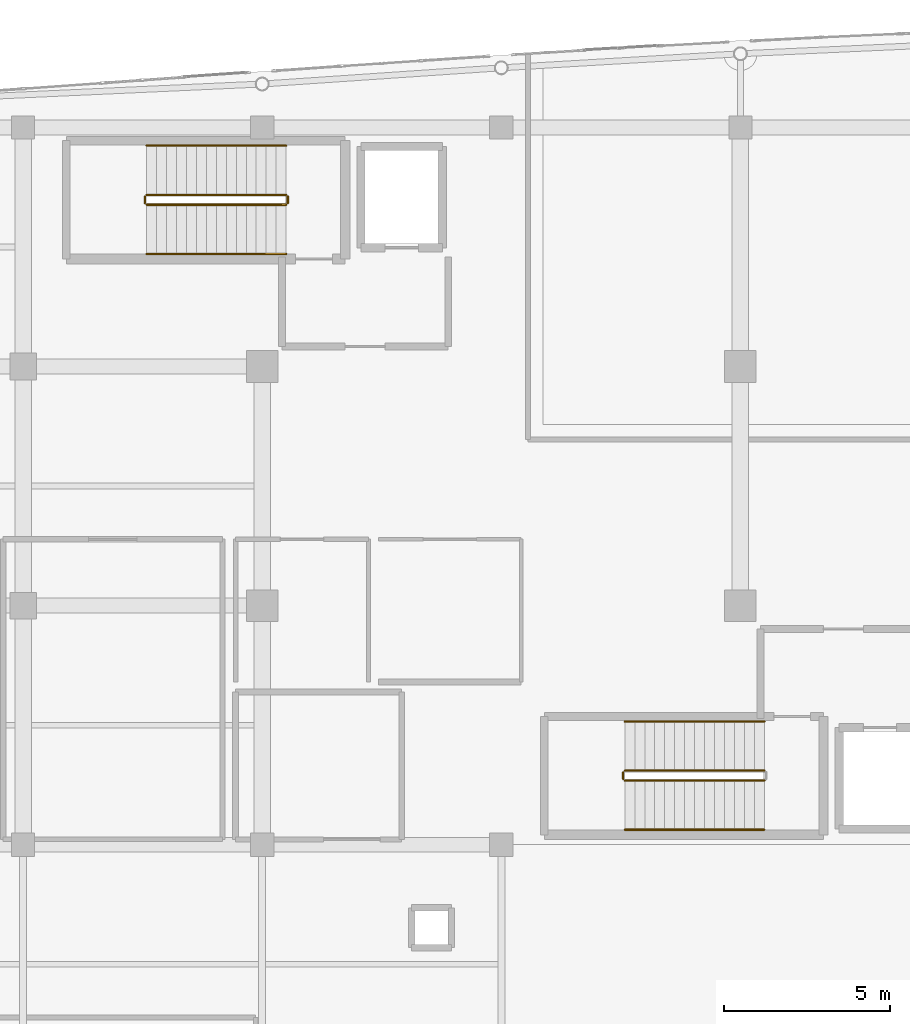
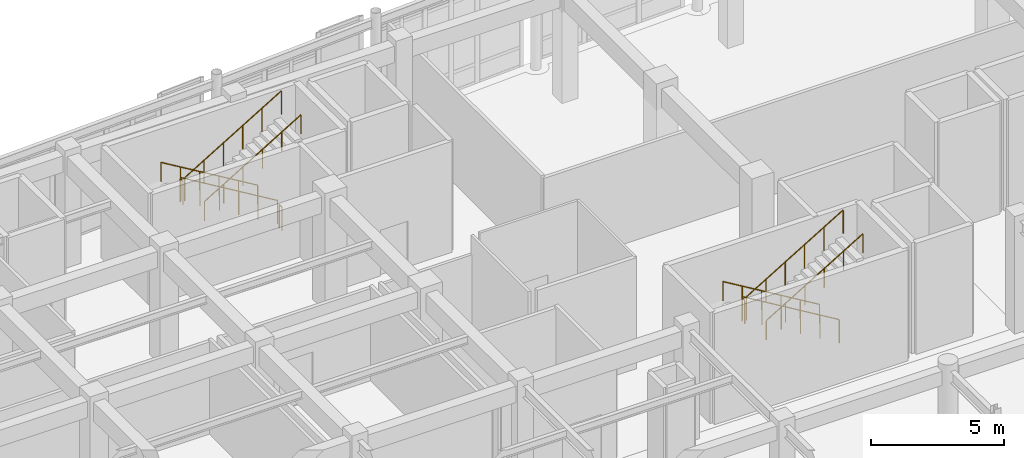
# One storey, part 94 of 102: 11 railings.
"""IFC4 building model written with IfcOpenShell, lengths in metres."""

from ifc_helpers import new_model, si_unit, direction, frame, origin, origin_2d, place, context, subcontext, project, spatial, circle, extrude, material, layer, layer_set, type_object, element, save


model = new_model("IFC4")

# Units and contexts
model_context = context("Model", 3, precision=1e-05, world=origin(), true_north=direction((0.0, 1.0)))
body_context = subcontext(model_context, "Body", "Model", "MODEL_VIEW")
ifc_project = project(units=[si_unit("LENGTHUNIT", "METRE"), si_unit("AREAUNIT", "SQUARE_METRE"), si_unit("VOLUMEUNIT", "CUBIC_METRE"), si_unit("PLANEANGLEUNIT", "RADIAN"), si_unit("MASSUNIT", "GRAM", prefix="KILO")], contexts=[model_context])

# Site, building, storey
site_placement = place(None, origin())
site = spatial("IfcSite", under=ifc_project, at=site_placement, CompositionType="ELEMENT")
building_placement = place(site_placement, origin())
building = spatial("IfcBuilding", under=site, at=building_placement, Name="Carrowvane Square Congress Hotel", CompositionType="ELEMENT")
storey_placement = place(building_placement, origin())
storey = spatial("IfcBuildingStorey", under=building, at=storey_placement, Name="L00", CompositionType="ELEMENT", Elevation=0.0)

# Railings
ifc_material_1 = material(Name="Stainless steel 316", Category="steel")
ifc_layer_1 = layer(ifc_material_1, 0.048095703125)
ifc_layer_set_1 = layer_set([ifc_layer_1], Name="Stainless steel 316")
railing_type_1 = type_object("IfcRailingType", Name="RLG-HR-900", PredefinedType="HANDRAIL", material=ifc_layer_set_1)
railing_1_placement = place(storey_placement, frame((62.719970703125, 112.85009765625, 0.179931640625)))
element("IfcRailing", 1, at=railing_1_placement, inside=storey, type_object=railing_type_1, Name="L00 ST1 stair handrail 1", PredefinedType="HANDRAIL", context=body_context, shape_type="SweptSolid", body=[
    extrude(circle(Radius=0.02392578125, at=origin_2d()), frame((0.0, 0.0, 0.8759765625), z_axis=(-0.857488527567, 0.0, 0.514503085598), x_axis=(0.0, -1.0, 0.0)), (0.0, 0.0, 1.0), 4.89794921875),
    extrude(circle(Radius=0.02099609375, at=origin_2d()), origin(), (0.0, 0.0, 1.0), 0.851806640625),
    extrude(circle(Radius=0.02099609375, at=origin_2d()), frame((-0.840087890625, 0.0, 0.50390625)), (0.0, 0.0, 1.0), 0.851806640625),
    extrude(circle(Radius=0.02099609375, at=origin_2d()), frame((-1.679931640625, 0.0, 1.008056640625)), (0.0, 0.0, 1.0), 0.851806640625),
    extrude(circle(Radius=0.02099609375, at=origin_2d()), frame((-2.52001953125, 0.0, 1.511962890625)), (0.0, 0.0, 1.0), 0.851806640625),
    extrude(circle(Radius=0.02099609375, at=origin_2d()), frame((-3.35986328125, 0.0, 2.01611328125)), (0.0, 0.0, 1.0), 0.851806640625),
    extrude(circle(Radius=0.02099609375, at=origin_2d()), frame((-4.199951171875, 0.0, 2.52001953125)), (0.0, 0.0, 1.0), 0.851806640625),
])
railing_2_placement = place(storey_placement, frame((58.52001953125, 109.590087890625, 2.8798828125)))
element("IfcRailing", 2, at=railing_2_placement, inside=storey, type_object=railing_type_1, Name="L00 ST1 stair handrail 2", PredefinedType="HANDRAIL", context=body_context, shape_type="SweptSolid", body=[
    extrude(circle(Radius=0.02392578125, at=origin_2d()), frame((0.0, 0.0, 0.8759765625), z_axis=(0.857488527567, 0.0, 0.514503085598), x_axis=(0.0, 1.0, 0.0)), (0.0, 0.0, 1.0), 4.89794921875),
    extrude(circle(Radius=0.02099609375, at=origin_2d()), origin(), (0.0, 0.0, 1.0), 0.851806640625),
    extrude(circle(Radius=0.02099609375, at=origin_2d()), frame((0.840087890625, 0.0, 0.50390625)), (0.0, 0.0, 1.0), 0.851806640625),
    extrude(circle(Radius=0.02099609375, at=origin_2d()), frame((1.679931640625, 0.0, 1.008056640625)), (0.0, 0.0, 1.0), 0.851806640625),
    extrude(circle(Radius=0.02099609375, at=origin_2d()), frame((2.52001953125, 0.0, 1.511962890625)), (0.0, 0.0, 1.0), 0.851806640625),
    extrude(circle(Radius=0.02099609375, at=origin_2d()), frame((3.35986328125, 0.0, 2.01611328125)), (0.0, 0.0, 1.0), 0.851806640625),
    extrude(circle(Radius=0.02099609375, at=origin_2d()), frame((4.199951171875, 0.0, 2.52001953125)), (0.0, 0.0, 1.0), 0.851806640625),
])
railing_3_placement = place(storey_placement, frame((77.1201171875, 95.510009765625, 0.179931640625)))
element("IfcRailing", 3, at=railing_3_placement, inside=storey, type_object=railing_type_1, Name="L00 ST2 stair handrail 1", PredefinedType="HANDRAIL", context=body_context, shape_type="SweptSolid", body=[
    extrude(circle(Radius=0.02392578125, at=origin_2d()), frame((0.0, 0.0, 0.8759765625), z_axis=(-0.857501721439, 0.0, 0.514481095599), x_axis=(0.0, -1.0, 0.0)), (0.0, 0.0, 1.0), 4.898193359375),
    extrude(circle(Radius=0.02099609375, at=origin_2d()), origin(), (0.0, 0.0, 1.0), 0.851806640625),
    extrude(circle(Radius=0.02099609375, at=origin_2d()), frame((-0.840087890625, 0.0, 0.50390625)), (0.0, 0.0, 1.0), 0.851806640625),
    extrude(circle(Radius=0.02099609375, at=origin_2d()), frame((-1.68017578125, 0.0, 1.008056640625)), (0.0, 0.0, 1.0), 0.851806640625),
    extrude(circle(Radius=0.02099609375, at=origin_2d()), frame((-2.52001953125, 0.0, 1.511962890625)), (0.0, 0.0, 1.0), 0.851806640625),
    extrude(circle(Radius=0.02099609375, at=origin_2d()), frame((-3.360107421875, 0.0, 2.01611328125)), (0.0, 0.0, 1.0), 0.851806640625),
    extrude(circle(Radius=0.02099609375, at=origin_2d()), frame((-4.2001953125, 0.0, 2.52001953125)), (0.0, 0.0, 1.0), 0.851806640625),
])
railing_4_placement = place(storey_placement, frame((72.919921875, 92.25, 2.8798828125)))
element("IfcRailing", 4, at=railing_4_placement, inside=storey, type_object=railing_type_1, Name="L00 ST2 stair handrail 2", PredefinedType="HANDRAIL", context=body_context, shape_type="SweptSolid", body=[
    extrude(circle(Radius=0.02392578125, at=origin_2d()), frame((0.0, 0.0, 0.8759765625), z_axis=(0.857501721439, 0.0, 0.514481095599), x_axis=(0.0, 1.0, 0.0)), (0.0, 0.0, 1.0), 4.898193359375),
    extrude(circle(Radius=0.02099609375, at=origin_2d()), origin(), (0.0, 0.0, 1.0), 0.851806640625),
    extrude(circle(Radius=0.02099609375, at=origin_2d()), frame((0.840087890625, 0.0, 0.50390625)), (0.0, 0.0, 1.0), 0.851806640625),
    extrude(circle(Radius=0.02099609375, at=origin_2d()), frame((1.68017578125, 0.0, 1.008056640625)), (0.0, 0.0, 1.0), 0.851806640625),
    extrude(circle(Radius=0.02099609375, at=origin_2d()), frame((2.52001953125, 0.0, 1.511962890625)), (0.0, 0.0, 1.0), 0.851806640625),
    extrude(circle(Radius=0.02099609375, at=origin_2d()), frame((3.360107421875, 0.0, 2.01611328125)), (0.0, 0.0, 1.0), 0.851806640625),
    extrude(circle(Radius=0.02099609375, at=origin_2d()), frame((4.2001953125, 0.0, 2.52001953125)), (0.0, 0.0, 1.0), 0.851806640625),
])
ifc_material_2 = material(Name="Galvanised steel", Category="steel")
ifc_layer_2 = layer(ifc_material_2, 0.048095703125)
ifc_layer_set_2 = layer_set([ifc_layer_2], Name="Galvanised steel")
railing_type_2 = type_object("IfcRailingType", Name="RLG-STG-1100", PredefinedType="GUARDRAIL", material=ifc_layer_set_2)
railing_5_placement = place(storey_placement, frame((62.719970703125, 111.3701171875, 0.179931640625)))
element("IfcRailing", 5, at=railing_5_placement, inside=storey, type_object=railing_type_2, Name="L00 ST1 stair guard 1", PredefinedType="GUARDRAIL", context=body_context, shape_type="SweptSolid", body=[
    extrude(circle(Radius=0.02392578125, at=origin_2d()), frame((0.0, 0.0, 1.076171875), z_axis=(-0.857488527567, 0.0, 0.514503085598), x_axis=(0.0, -1.0, 0.0)), (0.0, 0.0, 1.0), 4.89794921875),
    extrude(circle(Radius=0.02099609375, at=origin_2d()), origin(), (0.0, 0.0, 1.0), 1.052001953125),
    extrude(circle(Radius=0.02099609375, at=origin_2d()), frame((-0.840087890625, 0.0, 0.50390625)), (0.0, 0.0, 1.0), 1.052001953125),
    extrude(circle(Radius=0.02099609375, at=origin_2d()), frame((-1.679931640625, 0.0, 1.008056640625)), (0.0, 0.0, 1.0), 1.052001953125),
    extrude(circle(Radius=0.02099609375, at=origin_2d()), frame((-2.52001953125, 0.0, 1.511962890625)), (0.0, 0.0, 1.0), 1.052001953125),
    extrude(circle(Radius=0.02099609375, at=origin_2d()), frame((-3.35986328125, 0.0, 2.01611328125)), (0.0, 0.0, 1.0), 1.052001953125),
    extrude(circle(Radius=0.02099609375, at=origin_2d()), frame((-4.199951171875, 0.0, 2.52001953125)), (0.0, 0.0, 1.0), 1.052001953125),
])
railing_6_placement = place(storey_placement, frame((58.469970703125, 111.320068359375, 2.699951171875)))
element("IfcRailing", 6, at=railing_6_placement, inside=storey, type_object=railing_type_2, Name="L00 ST1 stair guard 2", PredefinedType="GUARDRAIL", context=body_context, shape_type="SweptSolid", body=[
    extrude(circle(Radius=0.02392578125, at=origin_2d()), frame((0.0, 0.0, 1.076171875), z_axis=(0.0, -1.0, 0.0), x_axis=(1.0, 0.0, 0.0)), (0.0, 0.0, 1.0), 0.199951171875),
    extrude(circle(Radius=0.02099609375, at=origin_2d()), origin(), (0.0, 0.0, 1.0), 1.052001953125),
    extrude(circle(Radius=0.02099609375, at=origin_2d()), frame((0.0, -0.199951171875, 0.0)), (0.0, 0.0, 1.0), 1.052001953125),
])
railing_7_placement = place(storey_placement, frame((58.52001953125, 111.070068359375, 2.8798828125)))
element("IfcRailing", 7, at=railing_7_placement, inside=storey, type_object=railing_type_2, Name="L00 ST1 stair guard 3", PredefinedType="GUARDRAIL", context=body_context, shape_type="SweptSolid", body=[
    extrude(circle(Radius=0.02392578125, at=origin_2d()), frame((0.0, 0.0, 1.076171875), z_axis=(0.857488527567, 0.0, 0.514503085598), x_axis=(0.0, 1.0, 0.0)), (0.0, 0.0, 1.0), 4.89794921875),
    extrude(circle(Radius=0.02099609375, at=origin_2d()), origin(), (0.0, 0.0, 1.0), 1.052001953125),
    extrude(circle(Radius=0.02099609375, at=origin_2d()), frame((0.840087890625, 0.0, 0.50390625)), (0.0, 0.0, 1.0), 1.052001953125),
    extrude(circle(Radius=0.02099609375, at=origin_2d()), frame((1.679931640625, 0.0, 1.008056640625)), (0.0, 0.0, 1.0), 1.052001953125),
    extrude(circle(Radius=0.02099609375, at=origin_2d()), frame((2.52001953125, 0.0, 1.511962890625)), (0.0, 0.0, 1.0), 1.052001953125),
    extrude(circle(Radius=0.02099609375, at=origin_2d()), frame((3.35986328125, 0.0, 2.01611328125)), (0.0, 0.0, 1.0), 1.052001953125),
    extrude(circle(Radius=0.02099609375, at=origin_2d()), frame((4.199951171875, 0.0, 2.52001953125)), (0.0, 0.0, 1.0), 1.052001953125),
])
railing_8_placement = place(storey_placement, frame((62.77001953125, 111.320068359375, 0.0)))
element("IfcRailing", 8, at=railing_8_placement, inside=storey, type_object=railing_type_2, Name="L00 ST1 stair guard 4", PredefinedType="GUARDRAIL", context=body_context, shape_type="SweptSolid", body=[
    extrude(circle(Radius=0.02392578125, at=origin_2d()), frame((0.0, 0.0, 1.076171875), z_axis=(0.0, -1.0, 0.0), x_axis=(1.0, 0.0, 0.0)), (0.0, 0.0, 1.0), 0.199951171875),
    extrude(circle(Radius=0.02099609375, at=origin_2d()), origin(), (0.0, 0.0, 1.0), 1.052001953125),
    extrude(circle(Radius=0.02099609375, at=origin_2d()), frame((0.0, -0.199951171875, 0.0)), (0.0, 0.0, 1.0), 1.052001953125),
])
railing_9_placement = place(storey_placement, frame((77.1201171875, 94.030029296875, 0.179931640625)))
element("IfcRailing", 9, at=railing_9_placement, inside=storey, type_object=railing_type_2, Name="L00 ST2 stair guard 1", PredefinedType="GUARDRAIL", context=body_context, shape_type="SweptSolid", body=[
    extrude(circle(Radius=0.02392578125, at=origin_2d()), frame((0.0, 0.0, 1.076171875), z_axis=(-0.857501721439, 0.0, 0.514481095599), x_axis=(0.0, -1.0, 0.0)), (0.0, 0.0, 1.0), 4.898193359375),
    extrude(circle(Radius=0.02099609375, at=origin_2d()), origin(), (0.0, 0.0, 1.0), 1.052001953125),
    extrude(circle(Radius=0.02099609375, at=origin_2d()), frame((-0.840087890625, 0.0, 0.50390625)), (0.0, 0.0, 1.0), 1.052001953125),
    extrude(circle(Radius=0.02099609375, at=origin_2d()), frame((-1.68017578125, 0.0, 1.008056640625)), (0.0, 0.0, 1.0), 1.052001953125),
    extrude(circle(Radius=0.02099609375, at=origin_2d()), frame((-2.52001953125, 0.0, 1.511962890625)), (0.0, 0.0, 1.0), 1.052001953125),
    extrude(circle(Radius=0.02099609375, at=origin_2d()), frame((-3.360107421875, 0.0, 2.01611328125)), (0.0, 0.0, 1.0), 1.052001953125),
    extrude(circle(Radius=0.02099609375, at=origin_2d()), frame((-4.2001953125, 0.0, 2.52001953125)), (0.0, 0.0, 1.0), 1.052001953125),
])
railing_10_placement = place(storey_placement, frame((72.8701171875, 93.97998046875, 2.699951171875)))
element("IfcRailing", 10, at=railing_10_placement, inside=storey, type_object=railing_type_2, Name="L00 ST2 stair guard 2", PredefinedType="GUARDRAIL", context=body_context, shape_type="SweptSolid", body=[
    extrude(circle(Radius=0.02392578125, at=origin_2d()), frame((0.0, 0.0, 1.076171875), z_axis=(0.0, -1.0, 0.0), x_axis=(1.0, 0.0, 0.0)), (0.0, 0.0, 1.0), 0.199951171875),
    extrude(circle(Radius=0.02099609375, at=origin_2d()), origin(), (0.0, 0.0, 1.0), 1.052001953125),
    extrude(circle(Radius=0.02099609375, at=origin_2d()), frame((0.0, -0.199951171875, 0.0)), (0.0, 0.0, 1.0), 1.052001953125),
])
railing_11_placement = place(storey_placement, frame((72.919921875, 93.72998046875, 2.8798828125)))
element("IfcRailing", 11, at=railing_11_placement, inside=storey, type_object=railing_type_2, Name="L00 ST2 stair guard 3", PredefinedType="GUARDRAIL", context=body_context, shape_type="SweptSolid", body=[
    extrude(circle(Radius=0.02392578125, at=origin_2d()), frame((0.0, 0.0, 1.076171875), z_axis=(0.857501721439, 0.0, 0.514481095599), x_axis=(0.0, 1.0, 0.0)), (0.0, 0.0, 1.0), 4.898193359375),
    extrude(circle(Radius=0.02099609375, at=origin_2d()), origin(), (0.0, 0.0, 1.0), 1.052001953125),
    extrude(circle(Radius=0.02099609375, at=origin_2d()), frame((0.840087890625, 0.0, 0.50390625)), (0.0, 0.0, 1.0), 1.052001953125),
    extrude(circle(Radius=0.02099609375, at=origin_2d()), frame((1.68017578125, 0.0, 1.008056640625)), (0.0, 0.0, 1.0), 1.052001953125),
    extrude(circle(Radius=0.02099609375, at=origin_2d()), frame((2.52001953125, 0.0, 1.511962890625)), (0.0, 0.0, 1.0), 1.052001953125),
    extrude(circle(Radius=0.02099609375, at=origin_2d()), frame((3.360107421875, 0.0, 2.01611328125)), (0.0, 0.0, 1.0), 1.052001953125),
    extrude(circle(Radius=0.02099609375, at=origin_2d()), frame((4.2001953125, 0.0, 2.52001953125)), (0.0, 0.0, 1.0), 1.052001953125),
])

save(model, "model.ifc")
